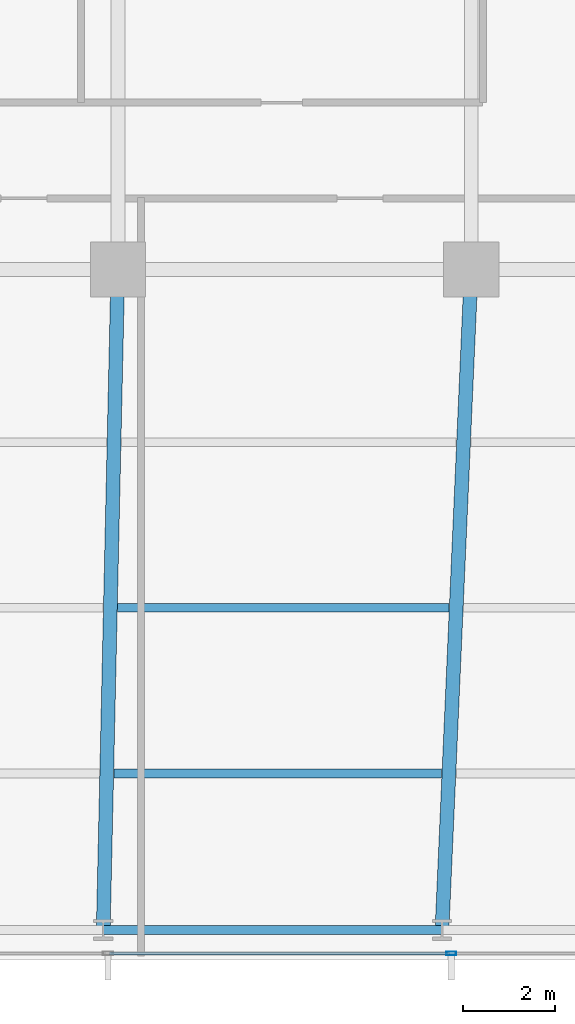
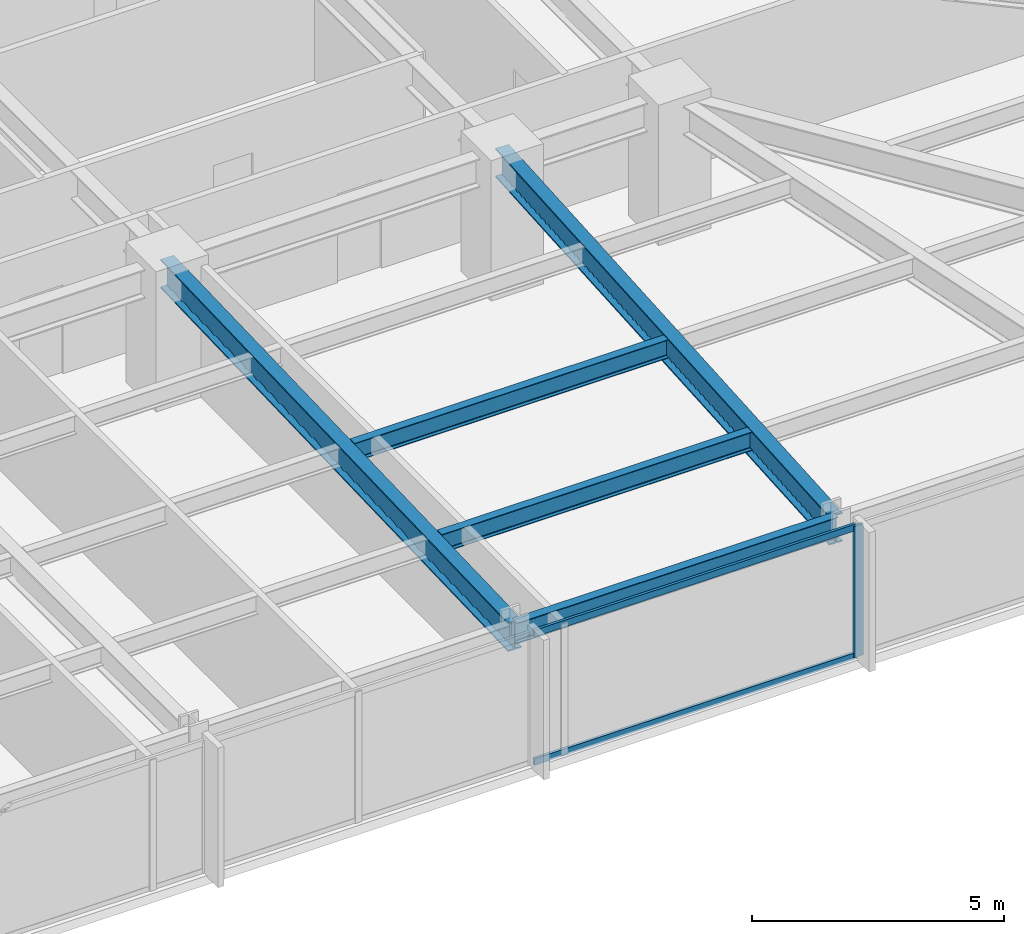
# One storey, part 12 of 32: 5 beams, 3 members, 1 element without a shape of its own.
"""IFC4 building model written with IfcOpenShell, lengths in metres."""

from ifc_helpers import new_model, si_unit, direction, frame, origin, origin_2d, place, context, subcontext, project, spatial, hollow_rectangle, i_section, extrude, material, material_profile, profile_set, type_object, element, aggregate, save


model = new_model("IFC4")

# Units and contexts
model_context = context("Model", 3, precision=1e-05, world=origin(), true_north=direction((0.0, 1.0)))
body_context = subcontext(model_context, "Body", "Model", "MODEL_VIEW")
ifc_project = project(units=[si_unit("LENGTHUNIT", "METRE"), si_unit("AREAUNIT", "SQUARE_METRE"), si_unit("VOLUMEUNIT", "CUBIC_METRE"), si_unit("PLANEANGLEUNIT", "RADIAN"), si_unit("MASSUNIT", "GRAM", prefix="KILO")], contexts=[model_context])

# Site, building, storey
site_placement = place(None, origin())
site = spatial("IfcSite", under=ifc_project, at=site_placement, CompositionType="ELEMENT")
building_placement = place(site_placement, origin())
building = spatial("IfcBuilding", under=site, at=building_placement, Name="Yelkora Congress Tower", CompositionType="ELEMENT")
storey_placement = place(building_placement, frame((0.0, 0.0, 57.60009765625)))
storey = spatial("IfcBuildingStorey", under=building, at=storey_placement, Name="L14", CompositionType="ELEMENT", Elevation=57.60009765625)

# Beams
ifc_material_1 = material(Name="Steel S355J2", Category="steel")
ifc_material_profile_1 = material_profile(ifc_material_1, i_section(OverallWidth=0.300048828125, OverallDepth=0.699951171875, WebThickness=0.01708984375, FlangeThickness=0.031982421875, FilletRadius=0.027099609375, at=origin_2d()), Name="HEB 700")
ifc_profile_set_1 = profile_set([ifc_material_profile_1], Name="Steel S355J2")
beam_type_1 = type_object("IfcBeamType", Name="BM-GIRD-HEB700", PredefinedType="BEAM", material=ifc_profile_set_1)
beam_1_placement = place(storey_placement, frame((45.762451171875, 10.85009765625, 2.829833984375), z_axis=(0.022129088136, 0.999755121746, 0.0), x_axis=(-0.999755121746, 0.022129088136, 0.0)))
element("IfcBeam", 1, at=beam_1_placement, inside=storey, type_object=beam_type_1, Name="L14 Primary Frame Girder S06", PredefinedType="BEAM", context=body_context, shape_type="SweptSolid", body=[
    extrude(i_section(OverallWidth=0.300048828125, OverallDepth=0.699951171875, WebThickness=0.01708984375, FlangeThickness=0.031982421875, FilletRadius=0.027099609375, at=origin_2d()), origin(), (0.0, 0.0, 1.0), 14.353271484375),
])
beam_2_placement = place(storey_placement, frame((53.125, 10.85009765625, 2.829833984375), z_axis=(0.044208738849, 0.999022315771, 0.0), x_axis=(-0.999022315771, 0.044208738849, 0.0)))
element("IfcBeam", 2, at=beam_2_placement, inside=storey, type_object=beam_type_1, Name="L14 Primary Frame Girder S07", PredefinedType="BEAM", context=body_context, shape_type="SweptSolid", body=[
    extrude(i_section(OverallWidth=0.300048828125, OverallDepth=0.699951171875, WebThickness=0.01708984375, FlangeThickness=0.031982421875, FilletRadius=0.027099609375, at=origin_2d()), origin(), (0.0, 0.0, 1.0), 14.364013671875),
])
ifc_material_profile_2 = material_profile(ifc_material_1, i_section(OverallWidth=0.18994140625, OverallDepth=0.449951171875, WebThickness=0.009521484375, FlangeThickness=0.0146484375, FilletRadius=0.02099609375, at=origin_2d()), Name="IPE 450")
ifc_profile_set_2 = profile_set([ifc_material_profile_2], Name="Steel S355J2")
beam_type_2 = type_object("IfcBeamType", Name="BM-JOIST-IPE450", PredefinedType="JOIST", material=ifc_profile_set_2)
beam_3_placement = place(storey_placement, frame((45.997802734375, 14.25, 2.954833984375), z_axis=(1.0, 0.0, 0.0), x_axis=(0.0, 1.0, 0.0)))
element("IfcBeam", 3, at=beam_3_placement, inside=storey, type_object=beam_type_2, Name="L14 Composite Floor Joist 6", PredefinedType="JOIST", context=body_context, shape_type="SweptSolid", body=[
    extrude(i_section(OverallWidth=0.18994140625, OverallDepth=0.449951171875, WebThickness=0.009521484375, FlangeThickness=0.0146484375, FilletRadius=0.02099609375, at=origin_2d()), origin(), (0.0, 0.0, 1.0), 7.11767578125),
])
beam_4_placement = place(storey_placement, frame((46.077392578125, 17.85009765625, 2.954833984375), z_axis=(1.0, 0.0, 0.0), x_axis=(0.0, 1.0, 0.0)))
element("IfcBeam", 4, at=beam_4_placement, inside=storey, type_object=beam_type_2, Name="L14 Composite Floor Joist 14", PredefinedType="JOIST", context=body_context, shape_type="SweptSolid", body=[
    extrude(i_section(OverallWidth=0.18994140625, OverallDepth=0.449951171875, WebThickness=0.009521484375, FlangeThickness=0.0146484375, FilletRadius=0.02099609375, at=origin_2d()), origin(), (0.0, 0.0, 1.0), 7.197509765625),
])
ifc_material_profile_3 = material_profile(ifc_material_1, i_section(OverallWidth=0.199951171875, OverallDepth=0.5, WebThickness=0.01025390625, FlangeThickness=0.01611328125, FilletRadius=0.02099609375, at=origin_2d()), Name="IPE 500")
ifc_profile_set_3 = profile_set([ifc_material_profile_3], Name="Steel S355J2")
beam_type_3 = type_object("IfcBeamType", Name="BM-SPAN-IPE500", PredefinedType="SPANDREL", material=ifc_profile_set_3)
beam_5_placement = place(storey_placement, frame((45.762451171875, 10.85009765625, 2.929931640625), z_axis=(1.0, 0.0, 0.0), x_axis=(0.0, 1.0, 0.0)))
element("IfcBeam", 5, at=beam_5_placement, inside=storey, type_object=beam_type_3, Name="L14 Perimeter Beam 7", PredefinedType="SPANDREL", context=body_context, shape_type="SweptSolid", body=[
    extrude(i_section(OverallWidth=0.199951171875, OverallDepth=0.5, WebThickness=0.01025390625, FlangeThickness=0.01611328125, FilletRadius=0.02099609375, at=origin_2d()), origin(), (0.0, 0.0, 1.0), 7.362548828125),
])

# Curtain wall, members
ifc_material_2 = material(Name="Anodised aluminium and insulated glass", Category="aluminium")
curtain_wall_type = type_object("IfcCurtainWallType", Name="CW-SYS-B1", PredefinedType="NOTDEFINED", material=ifc_material_2)
curtain_wall_placement = place(storey_placement, origin())
curtain_wall = element("IfcCurtainWall", 6, at=curtain_wall_placement, inside=storey, type_object=curtain_wall_type, Name="L14 Unitised Curtain Wall 20", PredefinedType="NOTDEFINED")
ifc_material_3 = material(Name="Anodised aluminium 6063-T6", Category="aluminium")
ifc_material_profile_4 = material_profile(ifc_material_3, hollow_rectangle(XDim=0.074951171875, YDim=0.219970703125, WallThickness=0.0048828125, at=origin_2d()), Name="ALU 75x220x5")
ifc_profile_set_4 = profile_set([ifc_material_profile_4], Name="Anodised aluminium 6063-T6")
member_type_1 = type_object("IfcMemberType", Name="MEM-ML-B1", PredefinedType="MULLION", material=ifc_profile_set_4)
member_1_placement = place(storey_placement, frame((53.330078125, 10.340087890625, 0.0), z_axis=(0.0, 0.0, 1.0), x_axis=(0.0, -1.0, 0.0)))
member_1 = element("IfcMember", 7, at=member_1_placement, type_object=member_type_1, Name="CW-B1 mullion 3", PredefinedType="MULLION", context=body_context, shape_type="SweptSolid", body=[
    extrude(hollow_rectangle(XDim=0.074951171875, YDim=0.219970703125, WallThickness=0.0048828125, at=origin_2d()), origin(), (0.0, 0.0, 1.0), 3.179931640625),
])
ifc_material_profile_5 = material_profile(ifc_material_3, hollow_rectangle(XDim=0.06494140625, YDim=0.159912109375, WallThickness=0.00390625, at=origin_2d()), Name="ALU 65x160x4")
ifc_profile_set_5 = profile_set([ifc_material_profile_5], Name="Anodised aluminium 6063-T6")
member_type_2 = type_object("IfcMemberType", Name="MEM-TR-B1", PredefinedType="USERDEFINED", material=ifc_profile_set_5)
member_2_placement = place(storey_placement, frame((53.29248046875, 10.340087890625, 0.032470703125), z_axis=(-1.0, 0.0, 0.0), x_axis=(0.0, -1.0, 0.0)))
member_2 = element("IfcMember", 8, at=member_2_placement, type_object=member_type_2, Name="CW-B1 transom 3.1", ObjectType="TRANSOM", PredefinedType="USERDEFINED", context=body_context, shape_type="SweptSolid", body=[
    extrude(hollow_rectangle(XDim=0.06494140625, YDim=0.159912109375, WallThickness=0.00390625, at=origin_2d()), origin(), (0.0, 0.0, 1.0), 7.389892578125),
])
member_3_placement = place(storey_placement, frame((53.29248046875, 10.340087890625, 3.1474609375), z_axis=(-1.0, 0.0, 0.0), x_axis=(0.0, -1.0, 0.0)))
member_3 = element("IfcMember", 9, at=member_3_placement, type_object=member_type_2, Name="CW-B1 transom 3.2", ObjectType="TRANSOM", PredefinedType="USERDEFINED", context=body_context, shape_type="SweptSolid", body=[
    extrude(hollow_rectangle(XDim=0.06494140625, YDim=0.159912109375, WallThickness=0.00390625, at=origin_2d()), origin(), (0.0, 0.0, 1.0), 7.389892578125),
])
aggregate(curtain_wall, [member_1, member_2, member_3])

save(model, "model.ifc")
